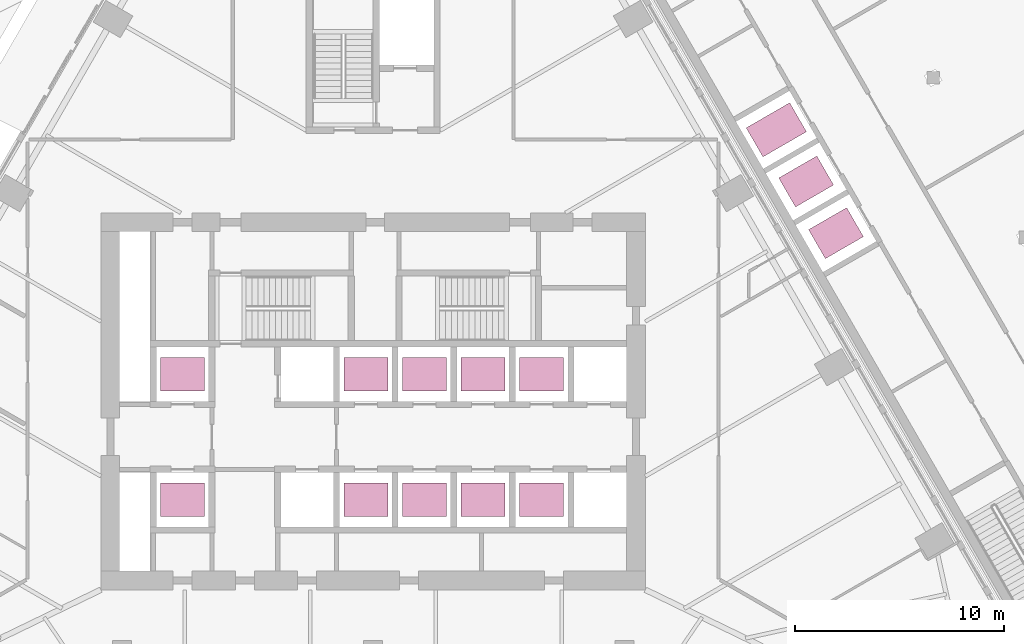
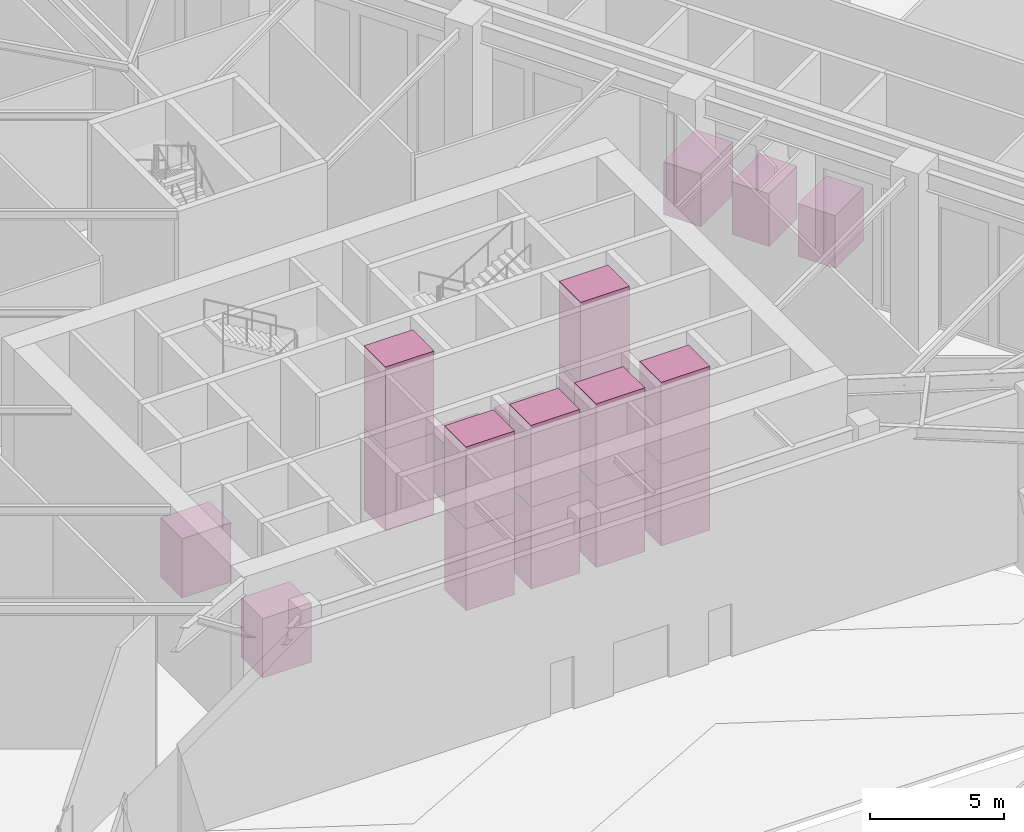
# One storey, part 32 of 34: 19 transport elements.
"""IFC4 building model written with IfcOpenShell, lengths in metres."""

from ifc_helpers import new_model, si_unit, direction, frame, origin, origin_2d, place, context, subcontext, project, spatial, rectangle, extrude, material, type_object, element, save


model = new_model("IFC4")

# Units and contexts
model_context = context("Model", 3, precision=1e-05, world=origin(), true_north=direction((0.0, 1.0)))
body_context = subcontext(model_context, "Body", "Model", "MODEL_VIEW")
ifc_project = project(units=[si_unit("LENGTHUNIT", "METRE"), si_unit("AREAUNIT", "SQUARE_METRE"), si_unit("VOLUMEUNIT", "CUBIC_METRE"), si_unit("PLANEANGLEUNIT", "RADIAN"), si_unit("MASSUNIT", "GRAM", prefix="KILO")], contexts=[model_context])

# Site, building, storey
site_placement = place(None, origin())
site = spatial("IfcSite", under=ifc_project, at=site_placement, CompositionType="ELEMENT")
building_placement = place(site_placement, origin())
building = spatial("IfcBuilding", under=site, at=building_placement, Name="Firuza Gate Tower and Library", CompositionType="ELEMENT")
storey_placement = place(building_placement, origin())
storey = spatial("IfcBuildingStorey", under=building, at=storey_placement, Name="L00", CompositionType="ELEMENT", Elevation=0.0)

# Transport elements
ifc_material_1 = material(Name="Stainless steel 316", Category="steel")
transport_element_type_1 = type_object("IfcTransportElementType", Name="LIB LIFT CAR", PredefinedType="ELEVATOR", material=ifc_material_1)
for number, where, z_axis, x_axis, name in (
    (1, (97.106689453125, 83.029052734375, 0.050048828125), (0.0, 0.0, 1.0), (-0.5, 0.866025403784, 0.0), "Passenger lift 1"),
    (2, (95.681884765625, 85.497314453125, 0.050048828125), (0.0, 0.0, 1.0), (-0.5, 0.866025403784, 0.0), "Passenger lift 2"),
):
    element("IfcTransportElement", number, at=place(storey_placement, frame(where, z_axis=z_axis, x_axis=x_axis)), inside=storey, type_object=transport_element_type_1, Name=name, PredefinedType="ELEVATOR", context=body_context, shape_type="SweptSolid", body=[
        extrude(rectangle(XDim=1.60009765625, YDim=2.10009765625, at=origin_2d()), origin(), (0.0, 0.0, 1.0), 2.39990234375),
    ])
transport_element_placement = place(storey_placement, frame((94.2568359375, 87.96533203125, 0.050048828125), z_axis=(0.0, 0.0, 1.0), x_axis=(-0.5, 0.866025403784, 0.0)))
element("IfcTransportElement", 3, at=transport_element_placement, inside=storey, type_object=transport_element_type_1, Name="Goods and stretcher lift", PredefinedType="ELEVATOR", context=body_context, shape_type="SweptSolid", body=[
    extrude(rectangle(XDim=1.60009765625, YDim=2.39990234375, at=origin_2d()), origin(), (0.0, 0.0, 1.0), 2.39990234375),
])
ifc_material_2 = material(Name="Stainless steel and glass", Category="steel")
transport_element_type_2 = type_object("IfcTransportElementType", Name="Low-rise lift car 2100x1600", PredefinedType="ELEVATOR", material=ifc_material_2)
for number, where, z_axis, x_axis, name in (
    (4, (74.64990234375, 70.300048828125, 0.0), (0.0, 0.0, 1.0), (1.0, 0.0, 0.0), "Low-rise lift LR1"),
    (5, (74.64990234375, 70.300048828125, 3.724853515625), (0.0, 0.0, 1.0), (1.0, 0.0, 0.0), "Low-rise lift LR1"),
    (6, (77.449951171875, 70.300048828125, 0.0), (0.0, 0.0, 1.0), (1.0, 0.0, 0.0), "Low-rise lift LR2"),
    (7, (77.449951171875, 70.300048828125, 3.724853515625), (0.0, 0.0, 1.0), (1.0, 0.0, 0.0), "Low-rise lift LR2"),
    (8, (80.25, 70.300048828125, 0.0), (0.0, 0.0, 1.0), (1.0, 0.0, 0.0), "Low-rise lift LR3"),
    (9, (80.25, 70.300048828125, 3.724853515625), (0.0, 0.0, 1.0), (1.0, 0.0, 0.0), "Low-rise lift LR3"),
    (10, (74.64990234375, 76.300048828125, 0.0), (0.0, 0.0, 1.0), (1.0, 0.0, 0.0), "Low-rise lift LR4"),
    (11, (74.64990234375, 76.300048828125, 3.724853515625), (0.0, 0.0, 1.0), (1.0, 0.0, 0.0), "Low-rise lift LR4"),
    (12, (83.050048828125, 70.300048828125, 0.0), (0.0, 0.0, 1.0), (1.0, 0.0, 0.0), "Low-rise lift LR5"),
    (13, (83.050048828125, 70.300048828125, 3.724853515625), (0.0, 0.0, 1.0), (1.0, 0.0, 0.0), "Low-rise lift LR5"),
    (14, (83.050048828125, 76.300048828125, 0.0), (0.0, 0.0, 1.0), (1.0, 0.0, 0.0), "Low-rise lift LR6"),
    (15, (83.050048828125, 76.300048828125, 3.724853515625), (0.0, 0.0, 1.0), (1.0, 0.0, 0.0), "Low-rise lift LR6"),
):
    element("IfcTransportElement", number, at=place(storey_placement, frame(where, z_axis=z_axis, x_axis=x_axis)), inside=storey, type_object=transport_element_type_2, Name=name, PredefinedType="ELEVATOR", context=body_context, shape_type="SweptSolid", body=[
        extrude(rectangle(XDim=2.10009765625, YDim=1.60009765625, at=origin_2d()), origin(), (0.0, 0.0, 1.0), 3.72509765625),
    ])
ifc_material_3 = material(Name="Stainless steel and glass", Category="steel")
transport_element_type_3 = type_object("IfcTransportElementType", Name="Shuttle lift car 2100x1600", PredefinedType="ELEVATOR", material=ifc_material_3)
for number, where, z_axis, x_axis, name in (
    (16, (65.89990234375, 70.300048828125, 0.0), (0.0, 0.0, 1.0), (1.0, 0.0, 0.0), "Shuttle lift SA1"),
    (17, (65.89990234375, 76.300048828125, 0.0), (0.0, 0.0, 1.0), (1.0, 0.0, 0.0), "Shuttle lift SA2"),
    (18, (77.449951171875, 76.300048828125, 0.0), (0.0, 0.0, 1.0), (1.0, 0.0, 0.0), "Shuttle lift SB1"),
    (19, (80.25, 76.300048828125, 0.0), (0.0, 0.0, 1.0), (1.0, 0.0, 0.0), "Shuttle lift SB2"),
):
    element("IfcTransportElement", number, at=place(storey_placement, frame(where, z_axis=z_axis, x_axis=x_axis)), inside=storey, type_object=transport_element_type_3, Name=name, PredefinedType="ELEVATOR", context=body_context, shape_type="SweptSolid", body=[
        extrude(rectangle(XDim=2.10009765625, YDim=1.60009765625, at=origin_2d()), origin(), (0.0, 0.0, 1.0), 2.699951171875),
    ])

save(model, "model.ifc")
